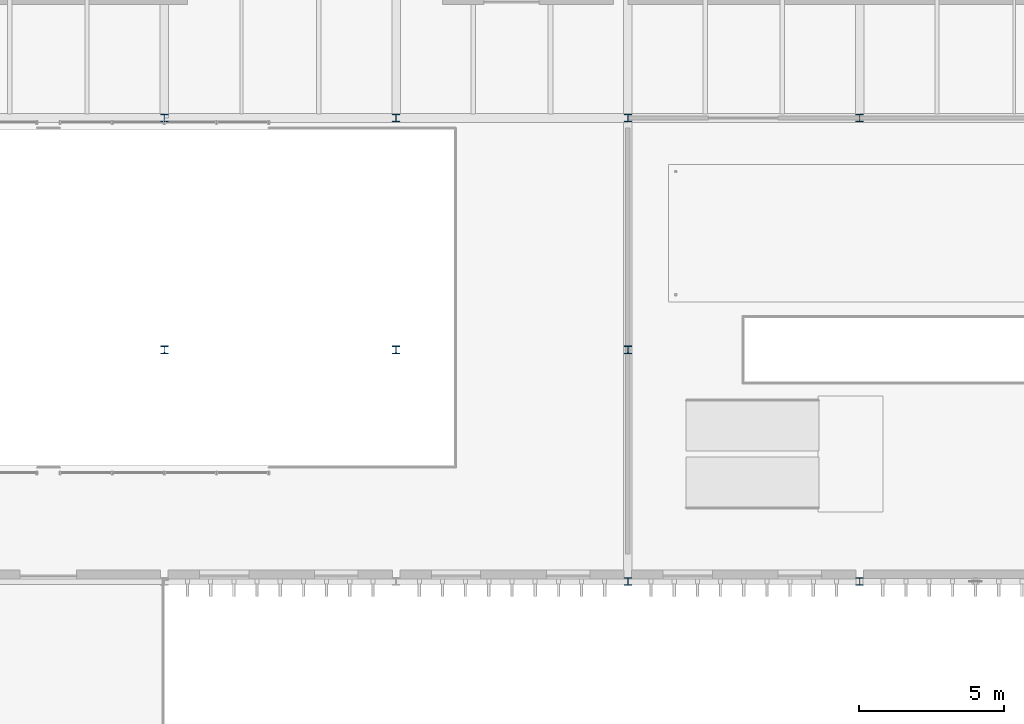
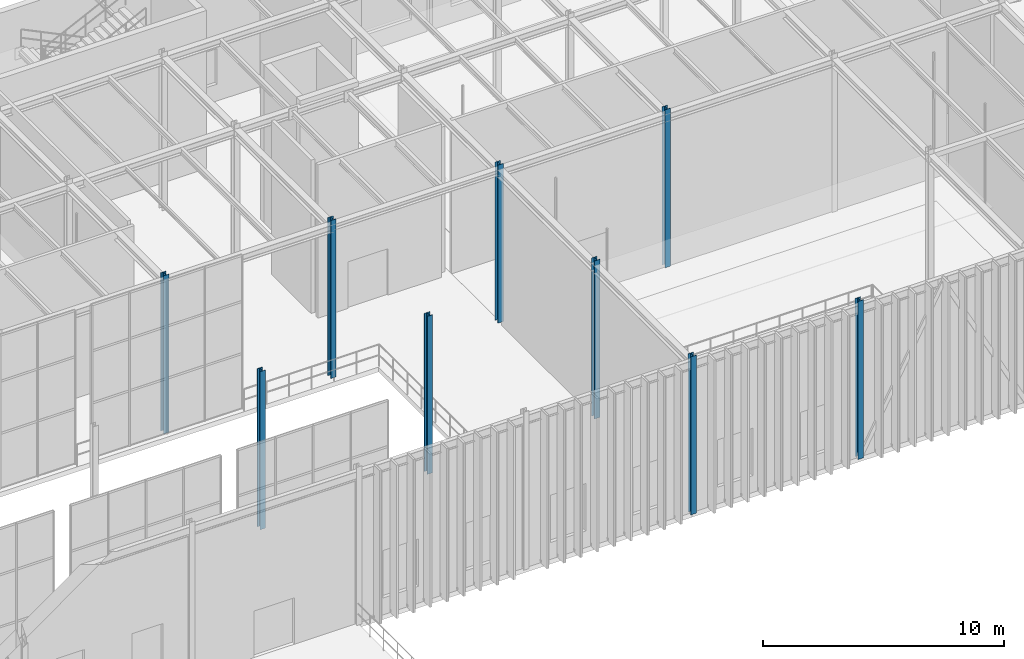
# One storey, part 8 of 138: 9 columns.
"""IFC4 building model written with IfcOpenShell, lengths in metres."""

from ifc_helpers import new_model, si_unit, direction, frame, origin, origin_2d, place, context, subcontext, project, spatial, i_section, extrude, material, material_profile, profile_set, type_object, element, save


model = new_model("IFC4")

# Units and contexts
model_context = context("Model", 3, precision=1e-05, world=origin(), true_north=direction((0.0, 1.0)))
body_context = subcontext(model_context, "Body", "Model", "MODEL_VIEW")
ifc_project = project(units=[si_unit("LENGTHUNIT", "METRE"), si_unit("AREAUNIT", "SQUARE_METRE"), si_unit("VOLUMEUNIT", "CUBIC_METRE"), si_unit("PLANEANGLEUNIT", "RADIAN"), si_unit("MASSUNIT", "GRAM", prefix="KILO")], contexts=[model_context])

# Site, building, storey
site_placement = place(None, origin())
site = spatial("IfcSite", under=ifc_project, at=site_placement, CompositionType="ELEMENT")
building_placement = place(site_placement, origin())
building = spatial("IfcBuilding", under=site, at=building_placement, Name="Sundkrona Museum", CompositionType="ELEMENT")
storey_placement = place(building_placement, frame((0.0, 0.0, 9.60009765625)))
storey = spatial("IfcBuildingStorey", under=building, at=storey_placement, Name="L02", CompositionType="ELEMENT", Elevation=9.60009765625)

# Columns
ifc_material = material(Name="Steel S355J2", Category="steel")
ifc_material_profile = material_profile(ifc_material, i_section(OverallWidth=0.260009765625, OverallDepth=0.260009765625, WebThickness=0.010009765625, FlangeThickness=0.017578125, FilletRadius=0.02392578125, at=origin_2d()), Name="HEB 260")
ifc_profile_set = profile_set([ifc_material_profile], Name="Steel S355J2")
column_type = type_object("IfcColumnType", Name="C-HEB260", PredefinedType="COLUMN", material=ifc_profile_set)
for number, where, z_axis, x_axis, name in (
    (1, (40.0, 86.0, 0.0), (0.0, 0.0, 1.0), (1.0, 0.0, 0.0), "L02 Column M/6"),
    (2, (40.0, 94.0, 0.0), (0.0, 0.0, 1.0), (1.0, 0.0, 0.0), "L02 Column N/6"),
    (3, (48.0, 86.0, 0.0), (0.0, 0.0, 1.0), (1.0, 0.0, 0.0), "L02 Column M/7"),
    (4, (48.0, 94.0, 0.0), (0.0, 0.0, 1.0), (1.0, 0.0, 0.0), "L02 Column N/7"),
    (5, (56.0, 78.0, 0.0), (0.0, 0.0, 1.0), (1.0, 0.0, 0.0), "L02 Column L/8"),
    (6, (56.0, 86.0, 0.0), (0.0, 0.0, 1.0), (1.0, 0.0, 0.0), "L02 Column M/8"),
    (7, (56.0, 94.0, 0.0), (0.0, 0.0, 1.0), (1.0, 0.0, 0.0), "L02 Column N/8"),
    (8, (64.0, 78.0, 0.0), (0.0, 0.0, 1.0), (1.0, 0.0, 0.0), "L02 Column L/9"),
    (9, (64.0, 94.0, 0.0), (0.0, 0.0, 1.0), (1.0, 0.0, 0.0), "L02 Column N/9"),
):
    element("IfcColumn", number, at=place(storey_placement, frame(where, z_axis=z_axis, x_axis=x_axis)), inside=storey, type_object=column_type, Name=name, PredefinedType="COLUMN", context=body_context, shape_type="SweptSolid", body=[
        extrude(i_section(OverallWidth=0.260009765625, OverallDepth=0.260009765625, WebThickness=0.010009765625, FlangeThickness=0.017578125, FilletRadius=0.02392578125, at=origin_2d()), origin(), (0.0, 0.0, 1.0), 8.0),
    ])

save(model, "model.ifc")
